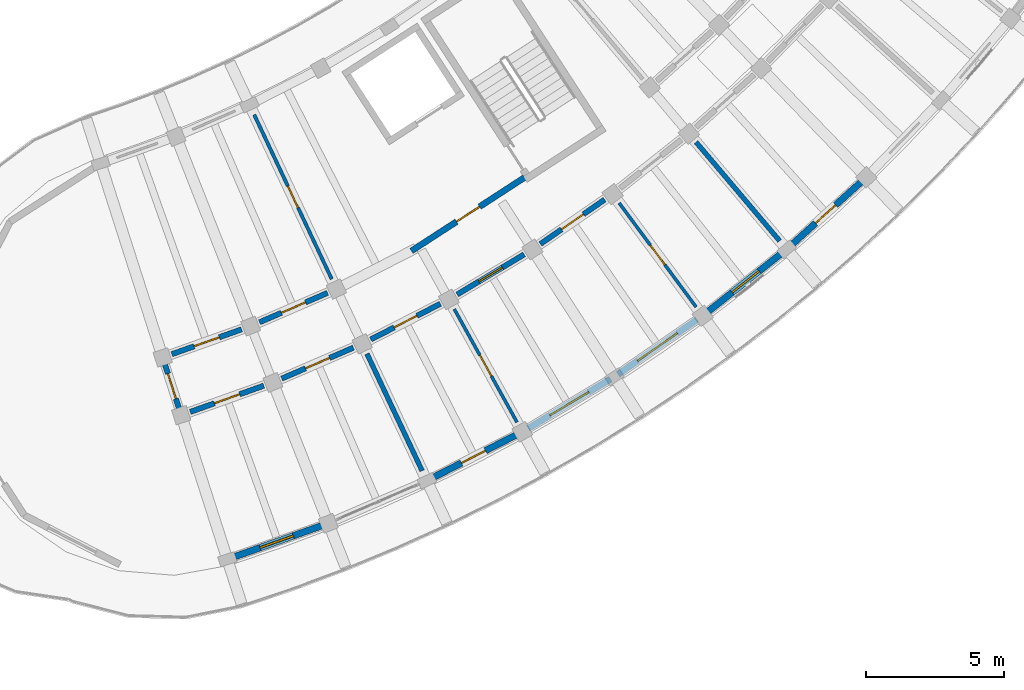
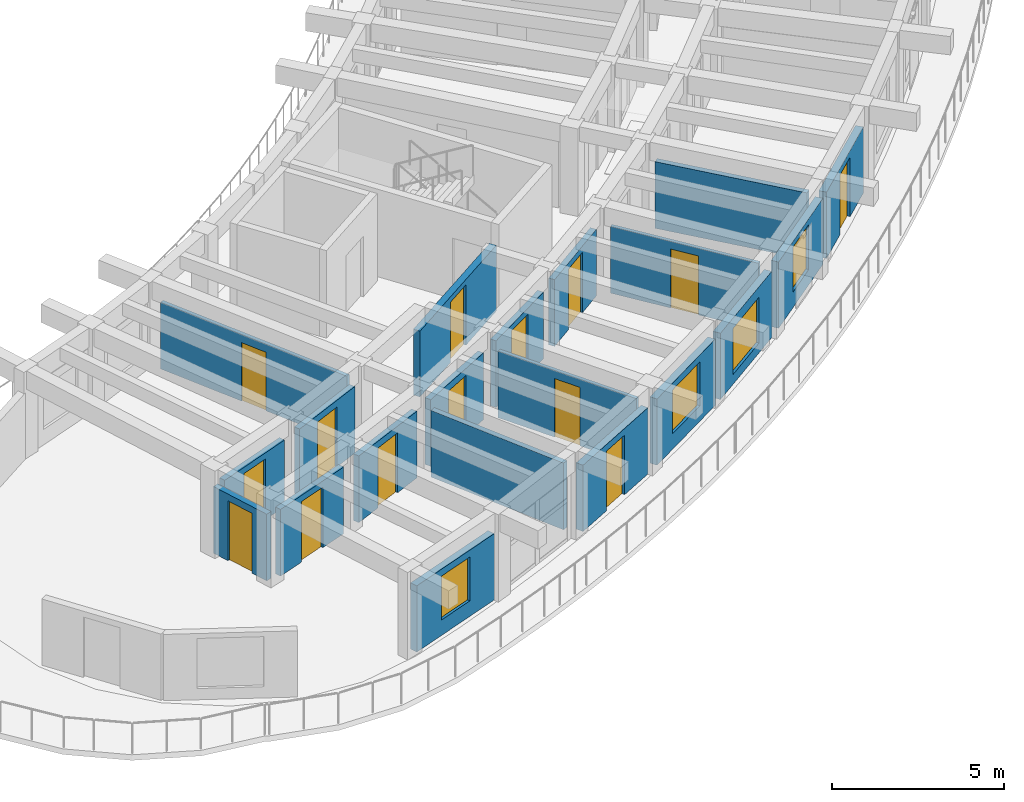
# One storey, part 52 of 81: 20 walls, 14 doors, 4 windows, 18 openings.
"""IFC4 building model written with IfcOpenShell, lengths in metres."""

from ifc_helpers import new_model, si_unit, direction, frame, frame_2d, origin, place, context, subcontext, project, spatial, rectangle, extrude, material, layer, layer_set, type_object, element, fill, save


model = new_model("IFC4")

# Units and contexts
model_context = context("Model", 3, precision=1e-05, world=origin(), true_north=direction((0.0, 1.0)))
body_context = subcontext(model_context, "Body", "Model", "MODEL_VIEW")
ifc_project = project(units=[si_unit("LENGTHUNIT", "METRE"), si_unit("AREAUNIT", "SQUARE_METRE"), si_unit("VOLUMEUNIT", "CUBIC_METRE"), si_unit("PLANEANGLEUNIT", "RADIAN"), si_unit("MASSUNIT", "GRAM", prefix="KILO")], contexts=[model_context])

# Site, building, storey
site_placement = place(None, origin())
site = spatial("IfcSite", under=ifc_project, at=site_placement, CompositionType="ELEMENT")
building_placement = place(site_placement, origin())
building = spatial("IfcBuilding", under=site, at=building_placement, Name="Tanwirah Colonnade Gardens", CompositionType="ELEMENT")
storey_placement = place(building_placement, frame((0.0, 0.0, 18.919921875)))
storey = spatial("IfcBuildingStorey", under=building, at=storey_placement, Name="L05", CompositionType="ELEMENT", Elevation=18.919921875)

# Wall, opening, window
ifc_material_1 = material(Name="Limestone architectural precast concrete C40/50", Category="masonry")
ifc_layer_1 = layer(ifc_material_1, 0.239990234375)
ifc_layer_set_1 = layer_set([ifc_layer_1], Name="Limestone architectural precast concrete C40/50")
wall_type_1 = type_object("IfcWallType", Name="EW-PC240", PredefinedType="SOLIDWALL", material=ifc_layer_set_1)
wall_1_placement = place(storey_placement, frame((139.305419921875, 7.838623046875, 0.0), z_axis=(0.0, 0.0, 1.0), x_axis=(0.941903386561, 0.335883923976, 0.0)))
wall_1 = element("IfcWall", 1, at=wall_1_placement, inside=storey, type_object=wall_type_1, Name="Block D L05 OUT Precast Facade Wall 1", PredefinedType="SOLIDWALL", context=body_context, shape_type="SweptSolid", body=[
    extrude(rectangle(XDim=3.48681640625, YDim=0.239990234375, at=frame_2d((1.743408203125, 0.0))), origin(), (0.0, 0.0, 1.0), 2.35498046875),
])
opening_1_placement = place(wall_1_placement, frame((1.103515625, 0.0, 0.550048828125)))
opening_1 = element("IfcOpeningElement", 2, at=opening_1_placement, cuts=wall_1, Name="Opening WIN-U04", PredefinedType="OPENING", context=body_context, shape_type="SweptSolid", body=[
    extrude(rectangle(XDim=1.280029296875, YDim=1.56005859375, at=frame_2d((0.64013671875, 0.780029296875))), frame((0.0, 0.1298828125, 0.0), z_axis=(0.0, -1.0, 0.0), x_axis=(1.0, 0.0, 0.0)), (0.0, 0.0, 1.0), 0.260009765625),
])
ifc_material_2 = material(Name="Thermally broken bronze aluminium and solar low-E double glazing", Category="aluminium")
window_type_1 = type_object("IfcWindowType", Name="WIN-U04", PartitioningType="DOUBLE_PANEL_VERTICAL", PredefinedType="WINDOW", material=ifc_material_2)
window_1_placement = place(opening_1_placement, origin())
window_1 = element("IfcWindow", 3, at=window_1_placement, inside=storey, type_object=window_type_1, Name="Facade window D-L05-OUT-01", OverallHeight=1.56005859375, OverallWidth=1.280029296875, PartitioningType="SINGLE_PANEL", PredefinedType="WINDOW", context=body_context, shape_type="SweptSolid", body=[
    extrude(rectangle(XDim=1.280029296875, YDim=1.56005859375, at=frame_2d((0.64013671875, 0.780029296875))), frame((0.0, 0.030029296875, 0.0), z_axis=(0.0, -1.0, 0.0), x_axis=(1.0, 0.0, 0.0)), (0.0, 0.0, 1.0), 0.06005859375),
])
fill(opening_1, window_1)

# Wall, opening, door
wall_2_placement = place(storey_placement, frame((146.544677734375, 10.712646484375, 0.0), z_axis=(0.0, 0.0, 1.0), x_axis=(0.890001092753, 0.45595839163, 0.0)))
wall_2 = element("IfcWall", 4, at=wall_2_placement, inside=storey, type_object=wall_type_1, Name="Block D L05 OUT Precast Facade Wall 3", PredefinedType="SOLIDWALL", context=body_context, shape_type="SweptSolid", body=[
    extrude(rectangle(XDim=3.48681640625, YDim=0.239990234375, at=frame_2d((1.743408203125, 0.0))), origin(), (0.0, 0.0, 1.0), 2.35498046875),
])
opening_2_placement = place(wall_2_placement, frame((1.25341796875, 0.0, 0.0)))
opening_2 = element("IfcOpeningElement", 5, at=opening_2_placement, cuts=wall_2, Name="Opening L05-ED198", PredefinedType="OPENING", context=body_context, shape_type="SweptSolid", body=[
    extrude(rectangle(XDim=0.97998046875, YDim=2.1201171875, at=frame_2d((0.489990234375, 1.06005859375))), frame((0.0, 0.1298828125, 0.0), z_axis=(0.0, -1.0, 0.0), x_axis=(1.0, 0.0, 0.0)), (0.0, 0.0, 1.0), 0.260009765625),
])
ifc_material_3 = material(Name="Bronze aluminium glazed balcony door", Category="aluminium")
door_type_1 = type_object("IfcDoorType", Name="ED-BAL098", OperationType="NOTDEFINED", PredefinedType="DOOR", material=ifc_material_3)
door_1_placement = place(opening_2_placement, origin())
door_1 = element("IfcDoor", 6, at=door_1_placement, inside=storey, type_object=door_type_1, Name="Balcony glazed door L05-ED198", OperationType="SINGLE_SWING_LEFT", OverallHeight=2.1201171875, OverallWidth=0.97998046875, PredefinedType="DOOR", context=body_context, shape_type="SweptSolid", body=[
    extrude(rectangle(XDim=0.97998046875, YDim=2.1201171875, at=frame_2d((0.489990234375, 1.06005859375))), frame((0.0, 0.02490234375, 0.0), z_axis=(0.0, -1.0, 0.0), x_axis=(1.0, 0.0, 0.0)), (0.0, 0.0, 1.0), 0.050048828125),
])
fill(opening_2, door_1)

# Wall, opening, window
wall_3_placement = place(storey_placement, frame((150.0849609375, 12.544677734375, 0.0), z_axis=(0.0, 0.0, 1.0), x_axis=(0.858288874148, 0.513166842766, 0.0)))
wall_3 = element("IfcWall", 7, at=wall_3_placement, inside=storey, type_object=wall_type_1, Name="Block D L05 OUT Precast Facade Wall 4", PredefinedType="SOLIDWALL", context=body_context, shape_type="SweptSolid", body=[
    extrude(rectangle(XDim=3.48681640625, YDim=0.239990234375, at=frame_2d((1.743408203125, 0.0))), origin(), (0.0, 0.0, 1.0), 2.35498046875),
])
opening_3_placement = place(wall_3_placement, frame((0.92333984375, 0.0, 0.550048828125)))
opening_3 = element("IfcOpeningElement", 8, at=opening_3_placement, cuts=wall_3, Name="Opening WIN-U13", PredefinedType="OPENING", context=body_context, shape_type="SweptSolid", body=[
    extrude(rectangle(XDim=1.639892578125, YDim=1.56005859375, at=frame_2d((0.81982421875, 0.780029296875))), frame((0.0, 0.1298828125, 0.0), z_axis=(0.0, -1.0, 0.0), x_axis=(1.0, 0.0, 0.0)), (0.0, 0.0, 1.0), 0.260009765625),
])
window_type_2 = type_object("IfcWindowType", Name="WIN-U13", PartitioningType="DOUBLE_PANEL_VERTICAL", PredefinedType="WINDOW", material=ifc_material_2)
window_2_placement = place(opening_3_placement, origin())
window_2 = element("IfcWindow", 9, at=window_2_placement, inside=storey, type_object=window_type_2, Name="Facade window D-L05-OUT-04", OverallHeight=1.56005859375, OverallWidth=1.639892578125, PartitioningType="SINGLE_PANEL", PredefinedType="WINDOW", context=body_context, shape_type="SweptSolid", body=[
    extrude(rectangle(XDim=1.639892578125, YDim=1.56005859375, at=frame_2d((0.81982421875, 0.780029296875))), frame((0.0, 0.030029296875, 0.0), z_axis=(0.0, -1.0, 0.0), x_axis=(1.0, 0.0, 0.0)), (0.0, 0.0, 1.0), 0.06005859375),
])
fill(opening_3, window_2)

wall_4_placement = place(storey_placement, frame((153.3466796875, 14.507080078125, 0.0), z_axis=(0.0, 0.0, 1.0), x_axis=(0.822902356734, 0.568182815017, 0.0)))
wall_4 = element("IfcWall", 10, at=wall_4_placement, inside=storey, type_object=wall_type_1, Name="Block D L05 OUT Precast Facade Wall 5", PredefinedType="SOLIDWALL", context=body_context, shape_type="SweptSolid", body=[
    extrude(rectangle(XDim=3.48681640625, YDim=0.239990234375, at=frame_2d((1.743408203125, 0.0))), origin(), (0.0, 0.0, 1.0), 2.35498046875),
])
opening_4_placement = place(wall_4_placement, frame((0.86328125, 0.0, 0.35009765625)))
opening_4 = element("IfcOpeningElement", 11, at=opening_4_placement, cuts=wall_4, Name="Opening WIN-U16", PredefinedType="OPENING", context=body_context, shape_type="SweptSolid", body=[
    extrude(rectangle(XDim=1.760009765625, YDim=1.635009765625, at=frame_2d((0.8798828125, 0.8173828125))), frame((0.0, 0.1298828125, 0.0), z_axis=(0.0, -1.0, 0.0), x_axis=(1.0, 0.0, 0.0)), (0.0, 0.0, 1.0), 0.260009765625),
])
window_type_3 = type_object("IfcWindowType", Name="WIN-U16", PartitioningType="DOUBLE_PANEL_VERTICAL", PredefinedType="WINDOW", material=ifc_material_2)
window_3_placement = place(opening_4_placement, origin())
window_3 = element("IfcWindow", 12, at=window_3_placement, inside=storey, type_object=window_type_3, Name="Facade window D-L05-OUT-05", OverallHeight=1.635009765625, OverallWidth=1.760009765625, PartitioningType="SINGLE_PANEL", PredefinedType="WINDOW", context=body_context, shape_type="SweptSolid", body=[
    extrude(rectangle(XDim=1.760009765625, YDim=1.635009765625, at=frame_2d((0.8798828125, 0.8173828125))), frame((0.0, 0.030029296875, 0.0), z_axis=(0.0, -1.0, 0.0), x_axis=(1.0, 0.0, 0.0)), (0.0, 0.0, 1.0), 0.06005859375),
])
fill(opening_4, window_3)

wall_5_placement = place(storey_placement, frame((156.61767578125, 16.78564453125, 0.0), z_axis=(0.0, 0.0, 1.0), x_axis=(0.78398760997, 0.620776471376, 0.0)))
wall_5 = element("IfcWall", 13, at=wall_5_placement, inside=storey, type_object=wall_type_1, Name="Block D L05 OUT Precast Facade Wall 6", PredefinedType="SOLIDWALL", context=body_context, shape_type="SweptSolid", body=[
    extrude(rectangle(XDim=3.48681640625, YDim=0.239990234375, at=frame_2d((1.743408203125, 0.0))), origin(), (0.0, 0.0, 1.0), 2.35498046875),
])
opening_5_placement = place(wall_5_placement, frame((1.118408203125, 0.0, 0.550048828125)))
opening_5 = element("IfcOpeningElement", 14, at=opening_5_placement, cuts=wall_5, Name="Opening WIN-T03", PredefinedType="OPENING", context=body_context, shape_type="SweptSolid", body=[
    extrude(rectangle(XDim=1.25, YDim=1.60009765625, at=frame_2d((0.625, 0.800048828125))), frame((0.0, 0.1298828125, 0.0), z_axis=(0.0, -1.0, 0.0), x_axis=(1.0, 0.0, 0.0)), (0.0, 0.0, 1.0), 0.260009765625),
])
window_type_4 = type_object("IfcWindowType", Name="WIN-T03", PartitioningType="SINGLE_PANEL", PredefinedType="WINDOW", material=ifc_material_2)
window_4_placement = place(opening_5_placement, origin())
window_4 = element("IfcWindow", 15, at=window_4_placement, inside=storey, type_object=window_type_4, Name="Facade window D-L05-OUT-06", OverallHeight=1.60009765625, OverallWidth=1.25, PartitioningType="SINGLE_PANEL", PredefinedType="WINDOW", context=body_context, shape_type="SweptSolid", body=[
    extrude(rectangle(XDim=1.25, YDim=1.60009765625, at=frame_2d((0.625, 0.800048828125))), frame((0.0, 0.030029296875, 0.0), z_axis=(0.0, -1.0, 0.0), x_axis=(1.0, 0.0, 0.0)), (0.0, 0.0, 1.0), 0.06005859375),
])
fill(opening_5, window_4)

# Wall, opening, door
wall_6_placement = place(storey_placement, frame((159.595458984375, 19.15673828125, 0.0), z_axis=(0.0, 0.0, 1.0), x_axis=(0.741648568445, 0.670788641022, 0.0)))
wall_6 = element("IfcWall", 16, at=wall_6_placement, inside=storey, type_object=wall_type_1, Name="Block D L05 OUT Precast Facade Wall 7", PredefinedType="SOLIDWALL", context=body_context, shape_type="SweptSolid", body=[
    extrude(rectangle(XDim=3.48681640625, YDim=0.239990234375, at=frame_2d((1.743408203125, 0.0))), origin(), (0.0, 0.0, 1.0), 2.35498046875),
])
opening_6_placement = place(wall_6_placement, frame((1.25341796875, 0.0, 0.0)))
opening_6 = element("IfcOpeningElement", 17, at=opening_6_placement, cuts=wall_6, Name="Opening L05-ED199", PredefinedType="OPENING", context=body_context, shape_type="SweptSolid", body=[
    extrude(rectangle(XDim=0.97998046875, YDim=2.1201171875, at=frame_2d((0.489990234375, 1.06005859375))), frame((0.0, 0.1298828125, 0.0), z_axis=(0.0, -1.0, 0.0), x_axis=(1.0, 0.0, 0.0)), (0.0, 0.0, 1.0), 0.260009765625),
])
door_2_placement = place(opening_6_placement, origin())
door_2 = element("IfcDoor", 18, at=door_2_placement, inside=storey, type_object=door_type_1, Name="Balcony glazed door L05-ED199", OperationType="SINGLE_SWING_LEFT", OverallHeight=2.1201171875, OverallWidth=0.97998046875, PredefinedType="DOOR", context=body_context, shape_type="SweptSolid", body=[
    extrude(rectangle(XDim=0.97998046875, YDim=2.1201171875, at=frame_2d((0.489990234375, 1.06005859375))), frame((0.0, 0.02490234375, 0.0), z_axis=(0.0, -1.0, 0.0), x_axis=(1.0, 0.0, 0.0)), (0.0, 0.0, 1.0), 0.050048828125),
])
fill(opening_6, door_2)

ifc_material_4 = material(Name="Precast concrete C40/50", Category="concrete")
ifc_layer_2 = layer(ifc_material_4, 0.195068359375)
ifc_layer_set_2 = layer_set([ifc_layer_2], Name="Precast concrete C40/50")
wall_type_2 = type_object("IfcWallType", Name="IW-CORR195", PredefinedType="PARTITIONING", material=ifc_layer_set_2)
wall_7_placement = place(storey_placement, frame((137.8076171875, 13.140625, 0.0), z_axis=(0.0, 0.0, 1.0), x_axis=(0.941930628611, 0.335807520589, 0.0)))
wall_7 = element("IfcWall", 19, at=wall_7_placement, inside=storey, type_object=wall_type_2, Name="Block D L05 OUT Corridor Wall 1", PredefinedType="PARTITIONING", context=body_context, shape_type="SweptSolid", body=[
    extrude(rectangle(XDim=2.8369140625, YDim=0.195068359375, at=frame_2d((1.41845703125, 0.0))), origin(), (0.0, 0.0, 1.0), 2.3701171875),
])
opening_7_placement = place(wall_7_placement, frame((0.93359375, 0.0, 0.0)))
opening_7 = element("IfcOpeningElement", 20, at=opening_7_placement, cuts=wall_7, Name="Opening L05-AD1838", PredefinedType="OPENING", context=body_context, shape_type="SweptSolid", body=[
    extrude(rectangle(XDim=0.969970703125, YDim=2.14990234375, at=frame_2d((0.48486328125, 1.074951171875))), frame((0.0, 0.107421875, 0.0), z_axis=(0.0, -1.0, 0.0), x_axis=(1.0, 0.0, 0.0)), (0.0, 0.0, 1.0), 0.215087890625),
])
ifc_material_5 = material(Name="Solid oak fire-resisting apartment entrance door")
door_type_2 = type_object("IfcDoorType", Name="ID-FLT097", OperationType="NOTDEFINED", PredefinedType="DOOR", material=ifc_material_5)
door_3_placement = place(opening_7_placement, origin())
door_3 = element("IfcDoor", 21, at=door_3_placement, inside=storey, type_object=door_type_2, Name="Apartment corridor door L05-AD1838", OperationType="SINGLE_SWING_LEFT", OverallHeight=2.14990234375, OverallWidth=0.969970703125, PredefinedType="DOOR", context=body_context, shape_type="SweptSolid", body=[
    extrude(rectangle(XDim=0.969970703125, YDim=2.14990234375, at=frame_2d((0.48486328125, 1.074951171875))), frame((0.0, 0.02490234375, 0.0), z_axis=(0.0, -1.0, 0.0), x_axis=(1.0, 0.0, 0.0)), (0.0, 0.0, 1.0), 0.050048828125),
])
fill(opening_7, door_3)

wall_8_placement = place(storey_placement, frame((137.136962890625, 15.23583984375, 0.0), z_axis=(0.0, 0.0, 1.0), x_axis=(0.941895652647, 0.335905611036, 0.0)))
wall_8 = element("IfcWall", 22, at=wall_8_placement, inside=storey, type_object=wall_type_2, Name="Block D L05 IN Corridor Wall 1", PredefinedType="PARTITIONING", context=body_context, shape_type="SweptSolid", body=[
    extrude(rectangle(XDim=2.69287109375, YDim=0.195068359375, at=frame_2d((1.346435546875, 0.0))), origin(), (0.0, 0.0, 1.0), 2.3701171875),
])
opening_8_placement = place(wall_8_placement, frame((0.861572265625, 0.0, 0.0)))
opening_8 = element("IfcOpeningElement", 23, at=opening_8_placement, cuts=wall_8, Name="Opening L05-AD1839", PredefinedType="OPENING", context=body_context, shape_type="SweptSolid", body=[
    extrude(rectangle(XDim=0.969970703125, YDim=2.14990234375, at=frame_2d((0.48486328125, 1.074951171875))), frame((0.0, 0.107421875, 0.0), z_axis=(0.0, -1.0, 0.0), x_axis=(1.0, 0.0, 0.0)), (0.0, 0.0, 1.0), 0.215087890625),
])
door_4_placement = place(opening_8_placement, origin())
door_4 = element("IfcDoor", 24, at=door_4_placement, inside=storey, type_object=door_type_2, Name="Apartment corridor door L05-AD1839", OperationType="SINGLE_SWING_RIGHT", OverallHeight=2.14990234375, OverallWidth=0.969970703125, PredefinedType="DOOR", context=body_context, shape_type="SweptSolid", body=[
    extrude(rectangle(XDim=0.969970703125, YDim=2.14990234375, at=frame_2d((0.48486328125, 1.074951171875))), frame((0.0, 0.02490234375, 0.0), z_axis=(0.0, -1.0, 0.0), x_axis=(1.0, 0.0, 0.0)), (0.0, 0.0, 1.0), 0.050048828125),
])
fill(opening_8, door_4)

wall_9_placement = place(storey_placement, frame((141.130615234375, 14.349853515625, 0.0), z_axis=(0.0, 0.0, 1.0), x_axis=(0.917943439406, 0.396711282991, 0.0)))
wall_9 = element("IfcWall", 25, at=wall_9_placement, inside=storey, type_object=wall_type_2, Name="Block D L05 OUT Corridor Wall 2", PredefinedType="PARTITIONING", context=body_context, shape_type="SweptSolid", body=[
    extrude(rectangle(XDim=2.837158203125, YDim=0.195068359375, at=frame_2d((1.41845703125, 0.0))), origin(), (0.0, 0.0, 1.0), 2.3701171875),
])
opening_9_placement = place(wall_9_placement, frame((0.943603515625, 0.0, 0.0)))
opening_9 = element("IfcOpeningElement", 26, at=opening_9_placement, cuts=wall_9, Name="Opening L05-AD1840", PredefinedType="OPENING", context=body_context, shape_type="SweptSolid", body=[
    extrude(rectangle(XDim=0.949951171875, YDim=2.1298828125, at=frame_2d((0.47509765625, 1.06494140625))), frame((0.0, 0.107421875, 0.0), z_axis=(0.0, -1.0, 0.0), x_axis=(1.0, 0.0, 0.0)), (0.0, 0.0, 1.0), 0.215087890625),
])
door_type_3 = type_object("IfcDoorType", Name="ID-FLT095", OperationType="NOTDEFINED", PredefinedType="DOOR", material=ifc_material_5)
door_5_placement = place(opening_9_placement, origin())
door_5 = element("IfcDoor", 27, at=door_5_placement, inside=storey, type_object=door_type_3, Name="Apartment corridor door L05-AD1840", OperationType="SINGLE_SWING_RIGHT", OverallHeight=2.1298828125, OverallWidth=0.949951171875, PredefinedType="DOOR", context=body_context, shape_type="SweptSolid", body=[
    extrude(rectangle(XDim=0.949951171875, YDim=2.1298828125, at=frame_2d((0.47509765625, 1.06494140625))), frame((0.0, 0.02490234375, 0.0), z_axis=(0.0, -1.0, 0.0), x_axis=(1.0, 0.0, 0.0)), (0.0, 0.0, 1.0), 0.050048828125),
])
fill(opening_9, door_5)

wall_10_placement = place(storey_placement, frame((140.324462890625, 16.396728515625, 0.0), z_axis=(0.0, 0.0, 1.0), x_axis=(0.91793557165, 0.39672948756, 0.0)))
wall_10 = element("IfcWall", 28, at=wall_10_placement, inside=storey, type_object=wall_type_2, Name="Block D L05 IN Corridor Wall 2", PredefinedType="PARTITIONING", context=body_context, shape_type="SweptSolid", body=[
    extrude(rectangle(XDim=2.69287109375, YDim=0.195068359375, at=frame_2d((1.346435546875, 0.0))), origin(), (0.0, 0.0, 1.0), 2.3701171875),
])
opening_10_placement = place(wall_10_placement, frame((0.87158203125, 0.0, 0.0)))
opening_10 = element("IfcOpeningElement", 29, at=opening_10_placement, cuts=wall_10, Name="Opening L05-AD1841", PredefinedType="OPENING", context=body_context, shape_type="SweptSolid", body=[
    extrude(rectangle(XDim=0.949951171875, YDim=2.1298828125, at=frame_2d((0.47509765625, 1.06494140625))), frame((0.0, 0.107421875, 0.0), z_axis=(0.0, -1.0, 0.0), x_axis=(1.0, 0.0, 0.0)), (0.0, 0.0, 1.0), 0.215087890625),
])
door_6_placement = place(opening_10_placement, origin())
door_6 = element("IfcDoor", 30, at=door_6_placement, inside=storey, type_object=door_type_3, Name="Apartment corridor door L05-AD1841", OperationType="SINGLE_SWING_LEFT", OverallHeight=2.1298828125, OverallWidth=0.949951171875, PredefinedType="DOOR", context=body_context, shape_type="SweptSolid", body=[
    extrude(rectangle(XDim=0.949951171875, YDim=2.1298828125, at=frame_2d((0.47509765625, 1.06494140625))), frame((0.0, 0.02490234375, 0.0), z_axis=(0.0, -1.0, 0.0), x_axis=(1.0, 0.0, 0.0)), (0.0, 0.0, 1.0), 0.050048828125),
])
fill(opening_10, door_6)

wall_11_placement = place(storey_placement, frame((144.367431640625, 15.773681640625, 0.0), z_axis=(0.0, 0.0, 1.0), x_axis=(0.890030590607, 0.45590080915, 0.0)))
wall_11 = element("IfcWall", 31, at=wall_11_placement, inside=storey, type_object=wall_type_2, Name="Block D L05 OUT Corridor Wall 3", PredefinedType="PARTITIONING", context=body_context, shape_type="SweptSolid", body=[
    extrude(rectangle(XDim=2.837158203125, YDim=0.195068359375, at=frame_2d((1.41845703125, 0.0))), origin(), (0.0, 0.0, 1.0), 2.3701171875),
])
opening_11_placement = place(wall_11_placement, frame((0.95361328125, 0.0, 0.0)))
opening_11 = element("IfcOpeningElement", 32, at=opening_11_placement, cuts=wall_11, Name="Opening L05-AD1843", PredefinedType="OPENING", context=body_context, shape_type="SweptSolid", body=[
    extrude(rectangle(XDim=0.929931640625, YDim=2.1201171875, at=frame_2d((0.46484375, 1.06005859375))), frame((0.0, 0.107421875, 0.0), z_axis=(0.0, -1.0, 0.0), x_axis=(1.0, 0.0, 0.0)), (0.0, 0.0, 1.0), 0.215087890625),
])
door_type_4 = type_object("IfcDoorType", Name="ID-FLT093", OperationType="NOTDEFINED", PredefinedType="DOOR", material=ifc_material_5)
door_7_placement = place(opening_11_placement, origin())
door_7 = element("IfcDoor", 33, at=door_7_placement, inside=storey, type_object=door_type_4, Name="Apartment corridor door L05-AD1843", OperationType="SINGLE_SWING_LEFT", OverallHeight=2.1201171875, OverallWidth=0.929931640625, PredefinedType="DOOR", context=body_context, shape_type="SweptSolid", body=[
    extrude(rectangle(XDim=0.929931640625, YDim=2.1201171875, at=frame_2d((0.46484375, 1.06005859375))), frame((0.0, 0.02490234375, 0.0), z_axis=(0.0, -1.0, 0.0), x_axis=(1.0, 0.0, 0.0)), (0.0, 0.0, 1.0), 0.050048828125),
])
fill(opening_11, door_7)

wall_12_placement = place(storey_placement, frame((147.50439453125, 17.406494140625, 0.0), z_axis=(0.0, 0.0, 1.0), x_axis=(0.858281647443, 0.51317892948, 0.0)))
wall_12 = element("IfcWall", 34, at=wall_12_placement, inside=storey, type_object=wall_type_2, Name="Block D L05 OUT Corridor Wall 4", PredefinedType="PARTITIONING", context=body_context, shape_type="SweptSolid", body=[
    extrude(rectangle(XDim=2.8369140625, YDim=0.195068359375, at=frame_2d((1.41845703125, 0.0))), origin(), (0.0, 0.0, 1.0), 2.3701171875),
])
opening_12_placement = place(wall_12_placement, frame((0.923583984375, 0.0, 0.0)))
opening_12 = element("IfcOpeningElement", 35, at=opening_12_placement, cuts=wall_12, Name="Opening L05-AD1845", PredefinedType="OPENING", context=body_context, shape_type="SweptSolid", body=[
    extrude(rectangle(XDim=0.989990234375, YDim=2.159912109375, at=frame_2d((0.4951171875, 1.080078125))), frame((0.0, 0.107421875, 0.0), z_axis=(0.0, -1.0, 0.0), x_axis=(1.0, 0.0, 0.0)), (0.0, 0.0, 1.0), 0.215087890625),
])
door_type_5 = type_object("IfcDoorType", Name="ID-FLT099", OperationType="NOTDEFINED", PredefinedType="DOOR", material=ifc_material_5)
door_8_placement = place(opening_12_placement, origin())
door_8 = element("IfcDoor", 36, at=door_8_placement, inside=storey, type_object=door_type_5, Name="Apartment corridor door L05-AD1845", OperationType="SINGLE_SWING_RIGHT", OverallHeight=2.159912109375, OverallWidth=0.989990234375, PredefinedType="DOOR", context=body_context, shape_type="SweptSolid", body=[
    extrude(rectangle(XDim=0.989990234375, YDim=2.159912109375, at=frame_2d((0.4951171875, 1.080078125))), frame((0.0, 0.02490234375, 0.0), z_axis=(0.0, -1.0, 0.0), x_axis=(1.0, 0.0, 0.0)), (0.0, 0.0, 1.0), 0.050048828125),
])
fill(opening_12, door_8)

wall_13_placement = place(storey_placement, frame((150.527587890625, 19.24072265625, 0.0), z_axis=(0.0, 0.0, 1.0), x_axis=(0.822870075235, 0.568229565653, 0.0)))
wall_13 = element("IfcWall", 37, at=wall_13_placement, inside=storey, type_object=wall_type_2, Name="Block D L05 OUT Corridor Wall 5", PredefinedType="PARTITIONING", context=body_context, shape_type="SweptSolid", body=[
    extrude(rectangle(XDim=2.8369140625, YDim=0.195068359375, at=frame_2d((1.41845703125, 0.0))), origin(), (0.0, 0.0, 1.0), 2.3701171875),
])
opening_13_placement = place(wall_13_placement, frame((0.93359375, 0.0, 0.0)))
opening_13 = element("IfcOpeningElement", 38, at=opening_13_placement, cuts=wall_13, Name="Opening L05-AD1846", PredefinedType="OPENING", context=body_context, shape_type="SweptSolid", body=[
    extrude(rectangle(XDim=0.969970703125, YDim=2.14990234375, at=frame_2d((0.48486328125, 1.074951171875))), frame((0.0, 0.107421875, 0.0), z_axis=(0.0, -1.0, 0.0), x_axis=(1.0, 0.0, 0.0)), (0.0, 0.0, 1.0), 0.215087890625),
])
door_9_placement = place(opening_13_placement, origin())
door_9 = element("IfcDoor", 39, at=door_9_placement, inside=storey, type_object=door_type_2, Name="Apartment corridor door L05-AD1846", OperationType="SINGLE_SWING_LEFT", OverallHeight=2.14990234375, OverallWidth=0.969970703125, PredefinedType="DOOR", context=body_context, shape_type="SweptSolid", body=[
    extrude(rectangle(XDim=0.969970703125, YDim=2.14990234375, at=frame_2d((0.48486328125, 1.074951171875))), frame((0.0, 0.02490234375, 0.0), z_axis=(0.0, -1.0, 0.0), x_axis=(1.0, 0.0, 0.0)), (0.0, 0.0, 1.0), 0.050048828125),
])
fill(opening_13, door_9)

wall_14_placement = place(storey_placement, frame((136.822509765625, 15.070556640625, 0.0), z_axis=(0.0, 0.0, 1.0), x_axis=(0.304834784779, -0.952405246725, 0.0)))
wall_14 = element("IfcWall", 40, at=wall_14_placement, inside=storey, type_object=wall_type_2, Name="Block D L05 CS Corner Suite Corridor Wall", PredefinedType="PARTITIONING", context=body_context, shape_type="SweptSolid", body=[
    extrude(rectangle(XDim=2.099853515625, YDim=0.195068359375, at=frame_2d((1.0498046875, 0.0))), origin(), (0.0, 0.0, 1.0), 2.3701171875),
])
opening_14_placement = place(wall_14_placement, frame((0.570068359375, 0.0, 0.0)))
opening_14 = element("IfcOpeningElement", 41, at=opening_14_placement, cuts=wall_14, Name="Opening L05-CD1866", PredefinedType="OPENING", context=body_context, shape_type="SweptSolid", body=[
    extrude(rectangle(XDim=0.949951171875, YDim=2.1298828125, at=frame_2d((0.47509765625, 1.06494140625))), frame((0.0, 0.107421875, 0.0), z_axis=(0.0, -1.0, 0.0), x_axis=(1.0, 0.0, 0.0)), (0.0, 0.0, 1.0), 0.215087890625),
])
door_10_placement = place(opening_14_placement, origin())
door_10 = element("IfcDoor", 42, at=door_10_placement, inside=storey, type_object=door_type_3, Name="Corner suite entrance door L05-CD1866", OperationType="SINGLE_SWING_LEFT", OverallHeight=2.1298828125, OverallWidth=0.949951171875, PredefinedType="DOOR", context=body_context, shape_type="SweptSolid", body=[
    extrude(rectangle(XDim=0.949951171875, YDim=2.1298828125, at=frame_2d((0.47509765625, 1.06494140625))), frame((0.0, 0.02490234375, 0.0), z_axis=(0.0, -1.0, 0.0), x_axis=(1.0, 0.0, 0.0)), (0.0, 0.0, 1.0), 0.050048828125),
])
fill(opening_14, door_10)

# Walls
ifc_layer_3 = layer(ifc_material_4, 0.175048828125)
ifc_layer_set_3 = layer_set([ifc_layer_3], Name="Precast concrete C40/50")
wall_type_3 = type_object("IfcWallType", Name="IW-DEM175", PredefinedType="PARTITIONING", material=ifc_layer_set_3)
for number, where, z_axis, x_axis, name in (
    (43, (144.2265625, 15.25244140625, 0.0), (0.0, 0.0, 1.0), (0.426567365945, -0.904455793453, 0.0), "Block D L05 Radial Partition 2"),
    (44, (156.181396484375, 22.94189453125, 0.0), (0.0, 0.0, 1.0), (0.646137818229, -0.76322075434, 0.0), "Block D L05 Radial Partition 6"),
):
    element("IfcWall", number, at=place(storey_placement, frame(where, z_axis=z_axis, x_axis=x_axis)), inside=storey, type_object=wall_type_3, Name=name, PredefinedType="PARTITIONING", context=body_context, shape_type="SweptSolid", body=[
        extrude(rectangle(XDim=4.699951171875, YDim=0.175048828125, at=frame_2d((2.35009765625, 0.0))), origin(), (0.0, 0.0, 1.0), 2.3701171875),
    ])

# Wall, opening, door
ifc_material_6 = material(Name="Autoclaved aerated masonry blockwork", Category="masonry")
ifc_layer_4 = layer(ifc_material_6, 0.219970703125)
ifc_layer_set_4 = layer_set([ifc_layer_4], Name="Autoclaved aerated masonry blockwork")
wall_type_4 = type_object("IfcWallType", Name="IW-FFL220", PredefinedType="PARTITIONING", material=ifc_layer_set_4)
wall_15_placement = place(storey_placement, frame((149.95458984375, 21.658203125, 0.0), z_axis=(0.0, 0.0, 1.0), x_axis=(-0.838681446513, -0.544622283124, 0.0)))
wall_15 = element("IfcWall", 45, at=wall_15_placement, inside=storey, type_object=wall_type_4, Name="CORE-D1 L05 Enclosed Lobby Fire Wall", PredefinedType="PARTITIONING", context=body_context, shape_type="SweptSolid", body=[
    extrude(rectangle(XDim=4.900146484375, YDim=0.219970703125, at=frame_2d((2.4501953125, 0.0))), origin(), (0.0, 0.0, 1.0), 2.340087890625),
])
opening_15_placement = place(wall_15_placement, frame((1.949951171875, 0.0, 0.0)))
opening_15 = element("IfcOpeningElement", 46, at=opening_15_placement, cuts=wall_15, Name="Opening L05-LD185", PredefinedType="OPENING", context=body_context, shape_type="SweptSolid", body=[
    extrude(rectangle(XDim=1.0, YDim=2.14990234375, at=frame_2d((0.5, 1.074951171875))), frame((0.0, 0.119873046875, 0.0), z_axis=(0.0, -1.0, 0.0), x_axis=(1.0, 0.0, 0.0)), (0.0, 0.0, 1.0), 0.239990234375),
])
ifc_material_7 = material(Name="Acoustic fire-resisting lobby door")
door_type_6 = type_object("IfcDoorType", Name="ID-FFL100", OperationType="NOTDEFINED", PredefinedType="DOOR", material=ifc_material_7)
door_11_placement = place(opening_15_placement, origin())
door_11 = element("IfcDoor", 47, at=door_11_placement, inside=storey, type_object=door_type_6, Name="CORE-D1 L05 Lobby Fire Door L05-LD185", OperationType="SINGLE_SWING_RIGHT", OverallHeight=2.14990234375, OverallWidth=1.0, PredefinedType="DOOR", context=body_context, shape_type="SweptSolid", body=[
    extrude(rectangle(XDim=1.0, YDim=2.14990234375, at=frame_2d((0.5, 1.074951171875))), frame((0.0, 0.02490234375, 0.0), z_axis=(0.0, -1.0, 0.0), x_axis=(1.0, 0.0, 0.0)), (0.0, 0.0, 1.0), 0.050048828125),
])
fill(opening_15, door_11)

ifc_material_8 = material(Name="Acoustic gypsum stud partition")
ifc_layer_5 = layer(ifc_material_8, 0.114990234375)
ifc_layer_set_5 = layer_set([ifc_layer_5], Name="Acoustic gypsum stud partition")
wall_type_5 = type_object("IfcWallType", Name="IW-INT115", PredefinedType="PARTITIONING", material=ifc_layer_set_5)
wall_16_placement = place(storey_placement, frame((147.39794921875, 16.876953125, 0.0), z_axis=(0.0, 0.0, 1.0), x_axis=(0.484813534336, -0.874617537513, 0.0)))
wall_16 = element("IfcWall", 48, at=wall_16_placement, inside=storey, type_object=wall_type_5, Name="Block D L05 Radial Partition 3", PredefinedType="PARTITIONING", context=body_context, shape_type="SweptSolid", body=[
    extrude(rectangle(XDim=4.699951171875, YDim=0.114990234375, at=frame_2d((2.35009765625, 0.0))), origin(), (0.0, 0.0, 1.0), 2.3701171875),
])
opening_16_placement = place(wall_16_placement, frame((1.9150390625, 0.0, 0.0)))
opening_16 = element("IfcOpeningElement", 49, at=opening_16_placement, cuts=wall_16, Name="Opening L05-RD1844", PredefinedType="OPENING", context=body_context, shape_type="SweptSolid", body=[
    extrude(rectangle(XDim=0.8701171875, YDim=2.080078125, at=frame_2d((0.43505859375, 1.0400390625))), frame((0.0, 0.0673828125, 0.0), z_axis=(0.0, -1.0, 0.0), x_axis=(1.0, 0.0, 0.0)), (0.0, 0.0, 1.0), 0.135009765625),
])
ifc_material_9 = material(Name="Painted hardwood study door", Category="wood")
door_type_7 = type_object("IfcDoorType", Name="ID-RM087", OperationType="NOTDEFINED", PredefinedType="DOOR", material=ifc_material_9)
door_12_placement = place(opening_16_placement, origin())
door_12 = element("IfcDoor", 50, at=door_12_placement, inside=storey, type_object=door_type_7, Name="Internal apartment door L05-RD1844", OperationType="SINGLE_SWING_LEFT", OverallHeight=2.080078125, OverallWidth=0.8701171875, PredefinedType="DOOR", context=body_context, shape_type="SweptSolid", body=[
    extrude(rectangle(XDim=0.8701171875, YDim=2.080078125, at=frame_2d((0.43505859375, 1.0400390625))), frame((0.0, 0.02490234375, 0.0), z_axis=(0.0, -1.0, 0.0), x_axis=(1.0, 0.0, 0.0)), (0.0, 0.0, 1.0), 0.050048828125),
])
fill(opening_16, door_12)

wall_17_placement = place(storey_placement, frame((153.38818359375, 20.72998046875, 0.0), z_axis=(0.0, 0.0, 1.0), x_axis=(0.59482622273, -0.803854318116, 0.0)))
wall_17 = element("IfcWall", 51, at=wall_17_placement, inside=storey, type_object=wall_type_5, Name="Block D L05 Radial Partition 5", PredefinedType="PARTITIONING", context=body_context, shape_type="SweptSolid", body=[
    extrude(rectangle(XDim=4.699951171875, YDim=0.114990234375, at=frame_2d((2.35009765625, 0.0))), origin(), (0.0, 0.0, 1.0), 2.3701171875),
])
opening_17_placement = place(wall_17_placement, frame((1.905029296875, 0.0, 0.0)))
opening_17 = element("IfcOpeningElement", 52, at=opening_17_placement, cuts=wall_17, Name="Opening L05-RD1847", PredefinedType="OPENING", context=body_context, shape_type="SweptSolid", body=[
    extrude(rectangle(XDim=0.889892578125, YDim=2.10009765625, at=frame_2d((0.44482421875, 1.050048828125))), frame((0.0, 0.0673828125, 0.0), z_axis=(0.0, -1.0, 0.0), x_axis=(1.0, 0.0, 0.0)), (0.0, 0.0, 1.0), 0.135009765625),
])
ifc_material_10 = material(Name="Painted hardwood bedroom door", Category="wood")
door_type_8 = type_object("IfcDoorType", Name="ID-RM089", OperationType="NOTDEFINED", PredefinedType="DOOR", material=ifc_material_10)
door_13_placement = place(opening_17_placement, origin())
door_13 = element("IfcDoor", 53, at=door_13_placement, inside=storey, type_object=door_type_8, Name="Internal apartment door L05-RD1847", OperationType="SINGLE_SWING_LEFT", OverallHeight=2.10009765625, OverallWidth=0.889892578125, PredefinedType="DOOR", context=body_context, shape_type="SweptSolid", body=[
    extrude(rectangle(XDim=0.889892578125, YDim=2.10009765625, at=frame_2d((0.44482421875, 1.050048828125))), frame((0.0, 0.02490234375, 0.0), z_axis=(0.0, -1.0, 0.0), x_axis=(1.0, 0.0, 0.0)), (0.0, 0.0, 1.0), 0.050048828125),
])
fill(opening_17, door_13)

ifc_material_11 = material(Name="Moisture-resistant gypsum stud partition")
ifc_layer_6 = layer(ifc_material_11, 0.125)
ifc_layer_set_6 = layer_set([ifc_layer_6], Name="Moisture-resistant gypsum stud partition")
wall_type_6 = type_object("IfcWallType", Name="IW-INT125", PredefinedType="PARTITIONING", material=ifc_layer_set_6)
wall_18_placement = place(storey_placement, frame((140.131591796875, 23.935302734375, 0.0), z_axis=(0.0, 0.0, 1.0), x_axis=(0.426573573579, -0.904452865728, 0.0)))
wall_18 = element("IfcWall", 54, at=wall_18_placement, inside=storey, type_object=wall_type_6, Name="Block D L05 Inner Radial Partition 2", PredefinedType="PARTITIONING", context=body_context, shape_type="SweptSolid", body=[
    extrude(rectangle(XDim=6.60009765625, YDim=0.125, at=frame_2d((3.300048828125, 0.0))), origin(), (0.0, 0.0, 1.0), 2.3701171875),
])
opening_18_placement = place(wall_18_placement, frame((2.864990234375, 0.0, 0.0)))
opening_18 = element("IfcOpeningElement", 55, at=opening_18_placement, cuts=wall_18, Name="Opening L05-RD1842", PredefinedType="OPENING", context=body_context, shape_type="SweptSolid", body=[
    extrude(rectangle(XDim=0.8701171875, YDim=2.080078125, at=frame_2d((0.43505859375, 1.0400390625))), frame((0.0, 0.072509765625, 0.0), z_axis=(0.0, -1.0, 0.0), x_axis=(1.0, 0.0, 0.0)), (0.0, 0.0, 1.0), 0.14501953125),
])
door_14_placement = place(opening_18_placement, origin())
door_14 = element("IfcDoor", 56, at=door_14_placement, inside=storey, type_object=door_type_7, Name="Internal apartment door L05-RD1842", OperationType="SINGLE_SWING_LEFT", OverallHeight=2.080078125, OverallWidth=0.8701171875, PredefinedType="DOOR", context=body_context, shape_type="SweptSolid", body=[
    extrude(rectangle(XDim=0.8701171875, YDim=2.080078125, at=frame_2d((0.43505859375, 1.0400390625))), frame((0.0, 0.02490234375, 0.0), z_axis=(0.0, -1.0, 0.0), x_axis=(1.0, 0.0, 0.0)), (0.0, 0.0, 1.0), 0.050048828125),
])
fill(opening_18, door_14)

save(model, "model.ifc")
